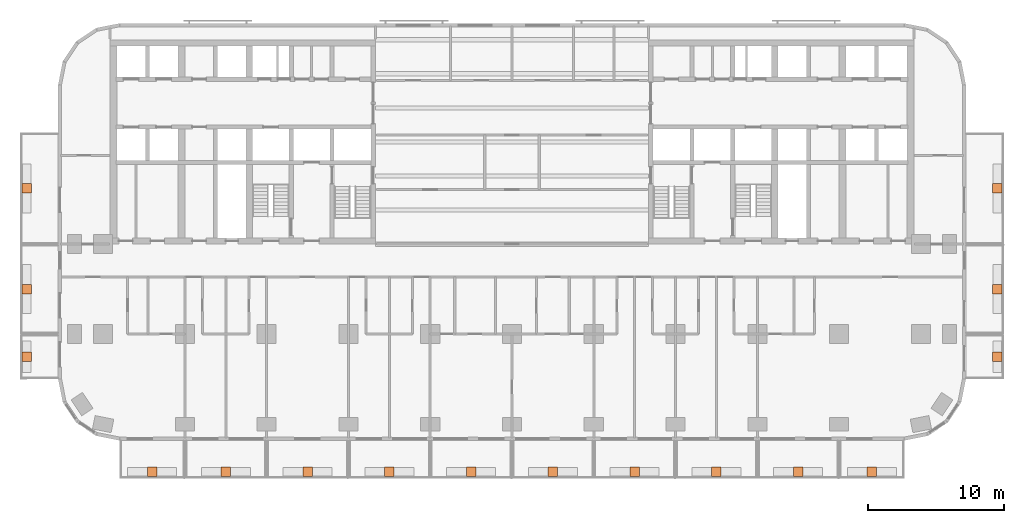
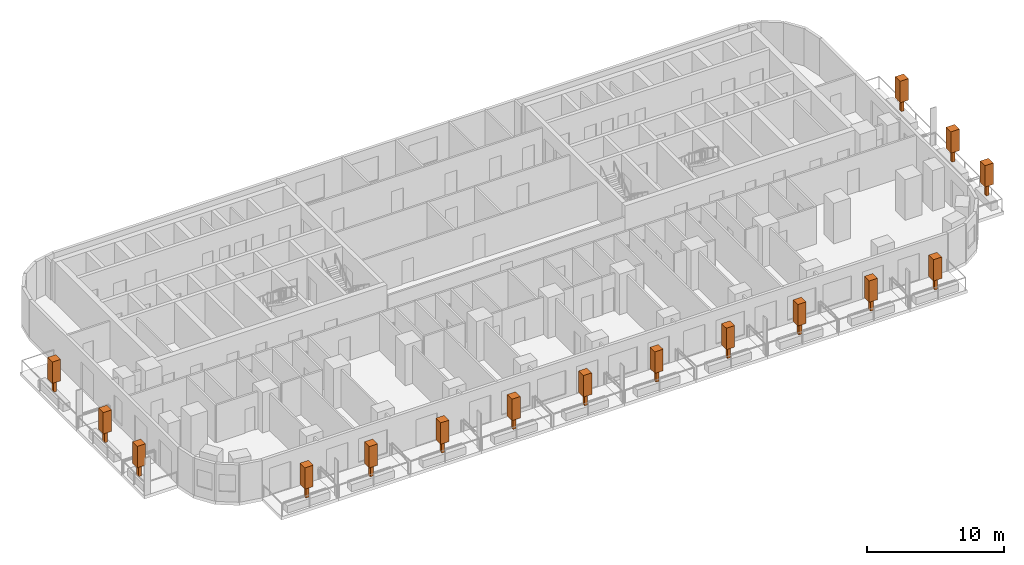
# One storey, part 13 of 13: 16 geographic elements.
"""IFC4 building model written with IfcOpenShell, lengths in metres."""

from ifc_helpers import new_model, si_unit, direction, frame, origin, origin_2d, place, context, subcontext, project, spatial, rectangle, extrude, material, element, save


model = new_model("IFC4")

# Units and contexts
model_context = context("Model", 3, precision=1e-05, world=origin(), true_north=direction((0.0, 1.0)))
body_context = subcontext(model_context, "Body", "Model", "MODEL_VIEW")
ifc_project = project(units=[si_unit("LENGTHUNIT", "METRE"), si_unit("AREAUNIT", "SQUARE_METRE"), si_unit("VOLUMEUNIT", "CUBIC_METRE"), si_unit("PLANEANGLEUNIT", "RADIAN"), si_unit("MASSUNIT", "GRAM", prefix="KILO")], contexts=[model_context])

# Site, building, storey
site_placement = place(None, origin())
site = spatial("IfcSite", under=ifc_project, at=site_placement, CompositionType="ELEMENT")
building_placement = place(site_placement, origin())
building = spatial("IfcBuilding", under=site, at=building_placement, Name="Torana Hotel and Residences", CompositionType="ELEMENT")
storey_placement = place(building_placement, frame((0.0, 0.0, 81.60009765625)))
storey = spatial("IfcBuildingStorey", under=building, at=storey_placement, Name="L20", CompositionType="ELEMENT", Elevation=81.60009765625)

# Geographic elements
ifc_material = material(Name="Foliage", Category="planting")
for number, where, z_axis, x_axis, name in (
    (1, (-26.39990234375, -31.699951171875, 0.64990234375), (0.0, 0.0, 1.0), (1.0, 0.0, 0.0), "Tree 01"),
    (2, (-21.0, -31.699951171875, 0.64990234375), (0.0, 0.0, 1.0), (1.0, 0.0, 0.0), "Tree 02"),
    (3, (-15.0, -31.699951171875, 0.64990234375), (0.0, 0.0, 1.0), (1.0, 0.0, 0.0), "Tree 03"),
    (4, (-9.0, -31.699951171875, 0.64990234375), (0.0, 0.0, 1.0), (1.0, 0.0, 0.0), "Tree 04"),
    (5, (-3.0, -31.699951171875, 0.64990234375), (0.0, 0.0, 1.0), (1.0, 0.0, 0.0), "Tree 05"),
    (6, (3.0, -31.699951171875, 0.64990234375), (0.0, 0.0, 1.0), (1.0, 0.0, 0.0), "Tree 06"),
    (7, (9.0, -31.699951171875, 0.64990234375), (0.0, 0.0, 1.0), (1.0, 0.0, 0.0), "Tree 07"),
    (8, (15.0, -31.699951171875, 0.64990234375), (0.0, 0.0, 1.0), (1.0, 0.0, 0.0), "Tree 08"),
    (9, (21.0, -31.699951171875, 0.64990234375), (0.0, 0.0, 1.0), (1.0, 0.0, 0.0), "Tree 09"),
    (10, (26.39990234375, -31.699951171875, 0.64990234375), (0.0, 0.0, 1.0), (1.0, 0.0, 0.0), "Tree 10"),
    (11, (-35.60009765625, -23.25, 0.64990234375), (0.0, 0.0, 1.0), (1.0, 0.0, 0.0), "Tree 11"),
    (12, (-35.60009765625, -18.300048828125, 0.64990234375), (0.0, 0.0, 1.0), (1.0, 0.0, 0.0), "Tree 12"),
    (13, (-35.60009765625, -10.89990234375, 0.64990234375), (0.0, 0.0, 1.0), (1.0, 0.0, 0.0), "Tree 13"),
    (14, (35.60009765625, -23.25, 0.64990234375), (0.0, 0.0, 1.0), (1.0, 0.0, 0.0), "Tree 14"),
    (15, (35.60009765625, -18.300048828125, 0.64990234375), (0.0, 0.0, 1.0), (1.0, 0.0, 0.0), "Tree 15"),
    (16, (35.60009765625, -10.89990234375, 0.64990234375), (0.0, 0.0, 1.0), (1.0, 0.0, 0.0), "Tree 16"),
):
    element("IfcGeographicElement", number, at=place(storey_placement, frame(where, z_axis=z_axis, x_axis=x_axis)), inside=storey, material=ifc_material, Name=name, ObjectType="TREE", PredefinedType="USERDEFINED", context=body_context, shape_type="SweptSolid", body=[
        extrude(rectangle(XDim=0.25, YDim=0.25, at=origin_2d()), origin(), (0.0, 0.0, 1.0), 1.0),
        extrude(rectangle(XDim=0.699951171875, YDim=0.699951171875, at=origin_2d()), frame((0.0, 0.0, 1.0)), (0.0, 0.0, 1.0), 1.89990234375),
    ])

save(model, "model.ifc")
